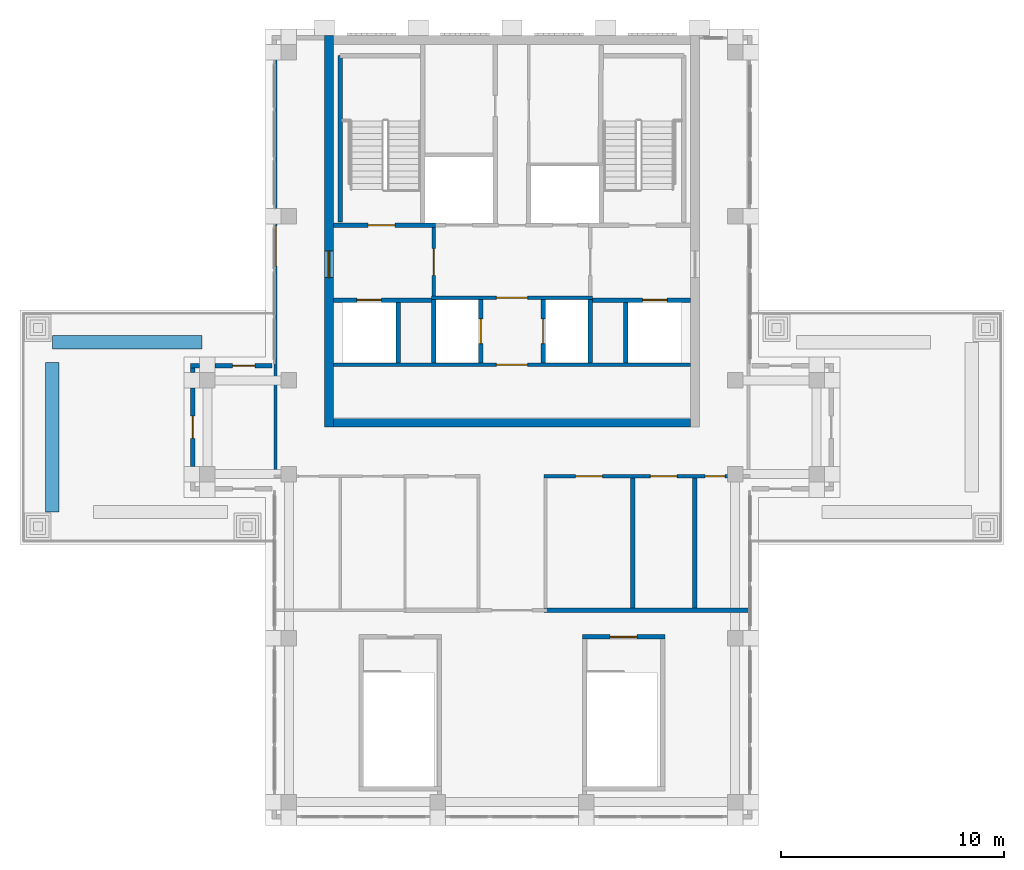
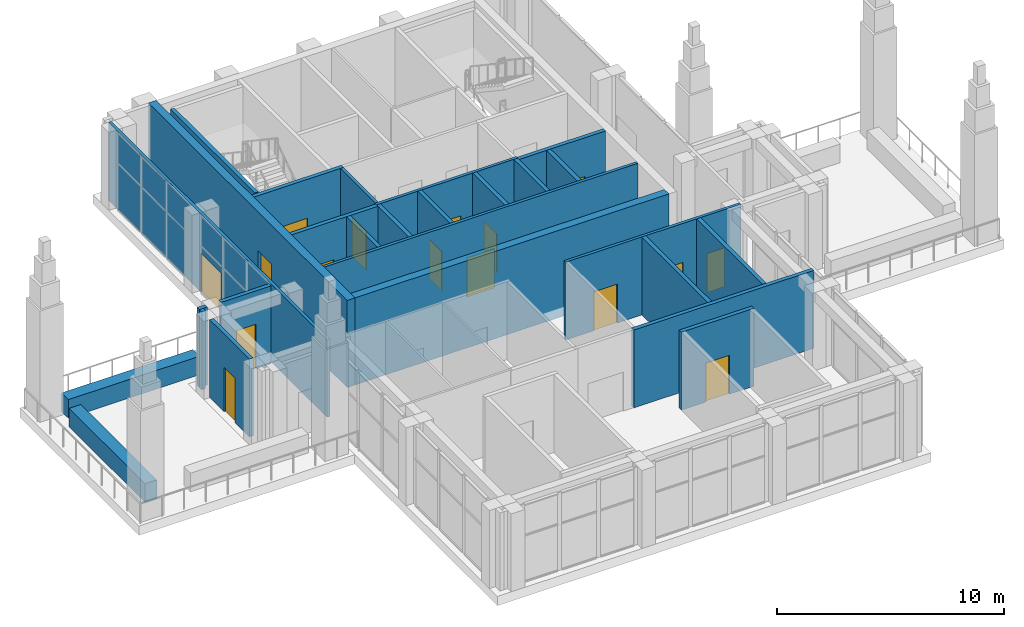
# One storey, part 7 of 12: 27 walls, 16 doors, 16 openings.
"""IFC4 building model written with IfcOpenShell, lengths in metres."""

from ifc_helpers import new_model, si_unit, direction, frame, frame_2d, origin, place, context, subcontext, project, spatial, rectangle, extrude, material, layer, layer_set, type_object, element, fill, save


model = new_model("IFC4")

# Units and contexts
model_context = context("Model", 3, precision=1e-05, world=origin(), true_north=direction((0.0, 1.0)))
body_context = subcontext(model_context, "Body", "Model", "MODEL_VIEW")
ifc_project = project(units=[si_unit("LENGTHUNIT", "METRE"), si_unit("AREAUNIT", "SQUARE_METRE"), si_unit("VOLUMEUNIT", "CUBIC_METRE"), si_unit("PLANEANGLEUNIT", "RADIAN"), si_unit("MASSUNIT", "GRAM", prefix="KILO")], contexts=[model_context])

# Site, building, storey
site_placement = place(None, origin())
site = spatial("IfcSite", under=ifc_project, at=site_placement, CompositionType="ELEMENT")
building_placement = place(site_placement, origin())
building = spatial("IfcBuilding", under=site, at=building_placement, Name="Vermilion Ogive Tower", CompositionType="ELEMENT")
storey_placement = place(building_placement, frame((0.0, 0.0, 298.35009765625)))
storey = spatial("IfcBuildingStorey", under=building, at=storey_placement, Name="L77", CompositionType="ELEMENT", Elevation=298.35009765625)

# Wall, opening, door
ifc_material_1 = material(Name="Concrete B60", Category="concrete")
ifc_layer_1 = layer(ifc_material_1, 0.39990234375)
ifc_layer_set_1 = layer_set([ifc_layer_1], Name="Core wall 400 B60")
wall_type_1 = type_object("IfcWallType", Name="Core wall 400 B60", PredefinedType="SHEAR", material=ifc_layer_set_1)
wall_1_placement = place(storey_placement, frame((-8.199951171875, 4.199951171875, -0.5), z_axis=(0.0, 0.0, 1.0), x_axis=(0.0, 1.0, 0.0)))
wall_1 = element("IfcWall", 1, at=wall_1_placement, inside=storey, type_object=wall_type_1, Name="L77-CORE-W", PredefinedType="SHEAR", context=body_context, shape_type="SweptSolid", body=[
    extrude(rectangle(XDim=17.550048828125, YDim=0.39990234375, at=frame_2d((8.77490234375, 0.0))), origin(), (0.0, 0.0, 1.0), 4.699951171875),
])
opening_1_placement = place(wall_1_placement, frame((6.699951171875, 0.0, 0.5)))
opening_1 = element("IfcOpeningElement", 2, at=opening_1_placement, cuts=wall_1, Name="Opening DAZ007", PredefinedType="OPENING", context=body_context, shape_type="SweptSolid", body=[
    extrude(rectangle(XDim=1.199951171875, YDim=2.10009765625, at=frame_2d((0.60009765625, 1.050048828125))), frame((0.0, 0.2099609375, 0.0), z_axis=(0.0, -1.0, 0.0), x_axis=(1.0, 0.0, 0.0)), (0.0, 0.0, 1.0), 0.419921875),
])
ifc_material_2 = material(Name="Timber door leaf", Category="wood")
door_type_1 = type_object("IfcDoorType", Name="Link door 1200 x 2100 FD60S", OperationType="SINGLE_SWING_LEFT", PredefinedType="DOOR", material=ifc_material_2)
door_1_placement = place(opening_1_placement, origin())
door_1 = element("IfcDoor", 3, at=door_1_placement, inside=storey, type_object=door_type_1, Name="L77-CK-XD1", OperationType="SINGLE_SWING_LEFT", OverallHeight=2.10009765625, OverallWidth=1.199951171875, PredefinedType="DOOR", context=body_context, shape_type="SweptSolid", body=[
    extrude(rectangle(XDim=1.199951171875, YDim=2.10009765625, at=frame_2d((0.60009765625, 1.050048828125))), frame((0.0, 0.02490234375, 0.0), z_axis=(0.0, -1.0, 0.0), x_axis=(1.0, 0.0, 0.0)), (0.0, 0.0, 1.0), 0.050048828125),
])
fill(opening_1, door_1)

# Wall
wall_2_placement = place(storey_placement, frame((-8.0, 4.39990234375, -0.5), z_axis=(0.0, 0.0, 1.0), x_axis=(1.0, 0.0, 0.0)))
element("IfcWall", 4, at=wall_2_placement, inside=storey, type_object=wall_type_1, Name="L77-CORE-S", PredefinedType="SHEAR", context=body_context, shape_type="SweptSolid", body=[
    extrude(rectangle(XDim=16.0, YDim=0.39990234375, at=frame_2d((8.0, 0.0))), origin(), (0.0, 0.0, 1.0), 4.699951171875),
])

# Wall, openings, doors
ifc_material_3 = material(Name="Gypsum board partition on steel studs", Category="steel")
ifc_layer_2 = layer(ifc_material_3, 0.14990234375)
ifc_layer_set_2 = layer_set([ifc_layer_2], Name="Partition 150 corridor")
wall_type_2 = type_object("IfcWallType", Name="Partition 150 corridor", PredefinedType="PARTITIONING", material=ifc_layer_set_2)
wall_3_placement = place(storey_placement, frame((1.425048828125, 2.0, 0.0), z_axis=(0.0, 0.0, 1.0), x_axis=(1.0, 0.0, 0.0)))
wall_3 = element("IfcWall", 5, at=wall_3_placement, inside=storey, type_object=wall_type_2, Name="L77-FS-W-W007", PredefinedType="PARTITIONING", context=body_context, shape_type="SweptSolid", body=[
    extrude(rectangle(XDim=8.925048828125, YDim=0.14990234375, at=frame_2d((4.46240234375, 0.0))), origin(), (0.0, 0.0, 1.0), 4.199951171875),
])
opening_2_placement = place(wall_3_placement, frame((1.428955078125, 0.0, 0.0)))
opening_2 = element("IfcOpeningElement", 6, at=opening_2_placement, cuts=wall_3, Name="Opening L77S005", PredefinedType="OPENING", context=body_context, shape_type="SweptSolid", body=[
    extrude(rectangle(XDim=1.199951171875, YDim=2.10009765625, at=frame_2d((0.60009765625, 1.050048828125))), frame((0.0, 0.0849609375, 0.0), z_axis=(0.0, -1.0, 0.0), x_axis=(1.0, 0.0, 0.0)), (0.0, 0.0, 1.0), 0.169921875),
])
opening_3_placement = place(wall_3_placement, frame((4.779052734375, 0.0, 0.0)))
opening_3 = element("IfcOpeningElement", 7, at=opening_3_placement, cuts=wall_3, Name="Opening L77S006", PredefinedType="OPENING", context=body_context, shape_type="SweptSolid", body=[
    extrude(rectangle(XDim=1.199951171875, YDim=2.10009765625, at=frame_2d((0.60009765625, 1.050048828125))), frame((0.0, 0.0849609375, 0.0), z_axis=(0.0, -1.0, 0.0), x_axis=(1.0, 0.0, 0.0)), (0.0, 0.0, 1.0), 0.169921875),
])
opening_4_placement = place(wall_3_placement, frame((7.224853515625, 0.0, 0.0)))
opening_4 = element("IfcOpeningElement", 8, at=opening_4_placement, cuts=wall_3, Name="Opening L77S007", PredefinedType="OPENING", context=body_context, shape_type="SweptSolid", body=[
    extrude(rectangle(XDim=0.89990234375, YDim=2.10009765625, at=frame_2d((0.449951171875, 1.050048828125))), frame((0.0, 0.0849609375, 0.0), z_axis=(0.0, -1.0, 0.0), x_axis=(1.0, 0.0, 0.0)), (0.0, 0.0, 1.0), 0.169921875),
])
ifc_material_4 = material(Name="Timber door leaf", Category="wood")
door_type_2 = type_object("IfcDoorType", Name="Room door 1200 x 2100 FD30", OperationType="SINGLE_SWING_LEFT", PredefinedType="DOOR", material=ifc_material_4)
door_2_placement = place(opening_2_placement, origin())
door_2 = element("IfcDoor", 9, at=door_2_placement, inside=storey, type_object=door_type_2, Name="L77-FS-D-D005", OperationType="SINGLE_SWING_LEFT", OverallHeight=2.10009765625, OverallWidth=1.199951171875, PredefinedType="DOOR", context=body_context, shape_type="SweptSolid", body=[
    extrude(rectangle(XDim=1.199951171875, YDim=2.10009765625, at=frame_2d((0.60009765625, 1.050048828125))), frame((0.0, 0.02490234375, 0.0), z_axis=(0.0, -1.0, 0.0), x_axis=(1.0, 0.0, 0.0)), (0.0, 0.0, 1.0), 0.050048828125),
])
fill(opening_2, door_2)
door_3_placement = place(opening_3_placement, origin())
door_3 = element("IfcDoor", 10, at=door_3_placement, inside=storey, type_object=door_type_2, Name="L77-FS-D-D006", OperationType="SINGLE_SWING_LEFT", OverallHeight=2.10009765625, OverallWidth=1.199951171875, PredefinedType="DOOR", context=body_context, shape_type="SweptSolid", body=[
    extrude(rectangle(XDim=1.199951171875, YDim=2.10009765625, at=frame_2d((0.60009765625, 1.050048828125))), frame((0.0, 0.02490234375, 0.0), z_axis=(0.0, -1.0, 0.0), x_axis=(1.0, 0.0, 0.0)), (0.0, 0.0, 1.0), 0.050048828125),
])
fill(opening_3, door_3)
ifc_material_5 = material(Name="Timber door leaf", Category="wood")
door_type_3 = type_object("IfcDoorType", Name="Room door 900 x 2100 FD30", OperationType="SINGLE_SWING_LEFT", PredefinedType="DOOR", material=ifc_material_5)
door_4_placement = place(opening_4_placement, origin())
door_4 = element("IfcDoor", 11, at=door_4_placement, inside=storey, type_object=door_type_3, Name="L77-FS-D-D007", OperationType="SINGLE_SWING_RIGHT", OverallHeight=2.10009765625, OverallWidth=0.89990234375, PredefinedType="DOOR", context=body_context, shape_type="SweptSolid", body=[
    extrude(rectangle(XDim=0.89990234375, YDim=2.10009765625, at=frame_2d((0.449951171875, 1.050048828125))), frame((0.0, 0.02490234375, 0.0), z_axis=(0.0, -1.0, 0.0), x_axis=(1.0, 0.0, 0.0)), (0.0, 0.0, 1.0), 0.050048828125),
])
fill(opening_4, door_4)

# Wall, opening, door
wall_4_placement = place(storey_placement, frame((-10.60009765625, 2.050048828125, 0.0), z_axis=(0.0, 0.0, 1.0), x_axis=(0.0, 1.0, 0.0)))
wall_4 = element("IfcWall", 12, at=wall_4_placement, inside=storey, type_object=wall_type_2, Name="L77-FS-W-W008", PredefinedType="PARTITIONING", context=body_context, shape_type="SweptSolid", body=[
    extrude(rectangle(XDim=19.300048828125, YDim=0.14990234375, at=frame_2d((9.64990234375, 0.0))), origin(), (0.0, 0.0, 1.0), 4.199951171875),
])
opening_5_placement = place(wall_4_placement, frame((9.375, 0.0, 0.0)))
opening_5 = element("IfcOpeningElement", 13, at=opening_5_placement, cuts=wall_4, Name="Opening L77S008", PredefinedType="OPENING", context=body_context, shape_type="SweptSolid", body=[
    extrude(rectangle(XDim=1.800048828125, YDim=2.10009765625, at=frame_2d((0.89990234375, 1.050048828125))), frame((0.0, 0.0849609375, 0.0), z_axis=(0.0, -1.0, 0.0), x_axis=(1.0, 0.0, 0.0)), (0.0, 0.0, 1.0), 0.169921875),
])
ifc_material_6 = material(Name="Timber door leaf", Category="wood")
door_type_4 = type_object("IfcDoorType", Name="External door 1800 x 2100 FD30", OperationType="DOUBLE_DOOR_SINGLE_SWING", PredefinedType="DOOR", material=ifc_material_6)
door_5_placement = place(opening_5_placement, origin())
door_5 = element("IfcDoor", 14, at=door_5_placement, inside=storey, type_object=door_type_4, Name="L77-FS-D-D008", OperationType="DOUBLE_DOOR_SINGLE_SWING", OverallHeight=2.10009765625, OverallWidth=1.800048828125, PredefinedType="DOOR", context=body_context, shape_type="SweptSolid", body=[
    extrude(rectangle(XDim=1.800048828125, YDim=2.10009765625, at=frame_2d((0.89990234375, 1.050048828125))), frame((0.0, 0.02490234375, 0.0), z_axis=(0.0, -1.0, 0.0), x_axis=(1.0, 0.0, 0.0)), (0.0, 0.0, 1.0), 0.050048828125),
])
fill(opening_5, door_5)

wall_5_placement = place(storey_placement, frame((-7.9990234375, 7.0, 0.0), z_axis=(0.0, 0.0, 1.0), x_axis=(1.0, 0.0, 0.0)))
wall_5 = element("IfcWall", 15, at=wall_5_placement, inside=storey, type_object=wall_type_2, Name="L77-CK-W-W001", PredefinedType="PARTITIONING", context=body_context, shape_type="SweptSolid", body=[
    extrude(rectangle(XDim=15.998046875, YDim=0.14990234375, at=frame_2d((7.9990234375, 0.0))), origin(), (0.0, 0.0, 1.0), 4.199951171875),
])
opening_6_placement = place(wall_5_placement, frame((7.299072265625, 0.0, 0.0)))
opening_6 = element("IfcOpeningElement", 16, at=opening_6_placement, cuts=wall_5, Name="Opening DAE085", PredefinedType="OPENING", context=body_context, shape_type="SweptSolid", body=[
    extrude(rectangle(XDim=1.39990234375, YDim=2.10009765625, at=frame_2d((0.699951171875, 1.050048828125))), frame((0.0, 0.0849609375, 0.0), z_axis=(0.0, -1.0, 0.0), x_axis=(1.0, 0.0, 0.0)), (0.0, 0.0, 1.0), 0.169921875),
])
ifc_material_7 = material(Name="Timber door leaf", Category="wood")
door_type_5 = type_object("IfcDoorType", Name="Lobby door 1400 x 2100 FD60S", OperationType="SINGLE_SWING_LEFT", PredefinedType="DOOR", material=ifc_material_7)
door_6_placement = place(opening_6_placement, origin())
door_6 = element("IfcDoor", 17, at=door_6_placement, inside=storey, type_object=door_type_5, Name="L77-CK-D-D005", OperationType="SINGLE_SWING_RIGHT", OverallHeight=2.10009765625, OverallWidth=1.39990234375, PredefinedType="DOOR", context=body_context, shape_type="SweptSolid", body=[
    extrude(rectangle(XDim=1.39990234375, YDim=2.10009765625, at=frame_2d((0.699951171875, 1.050048828125))), frame((0.0, 0.02490234375, 0.0), z_axis=(0.0, -1.0, 0.0), x_axis=(1.0, 0.0, 0.0)), (0.0, 0.0, 1.0), 0.050048828125),
])
fill(opening_6, door_6)

wall_6_placement = place(storey_placement, frame((-3.60009765625, 10.0, 0.0), z_axis=(0.0, 0.0, 1.0), x_axis=(1.0, 0.0, 0.0)))
wall_6 = element("IfcWall", 18, at=wall_6_placement, inside=storey, type_object=wall_type_2, Name="L77-CK-W-W004", PredefinedType="PARTITIONING", context=body_context, shape_type="SweptSolid", body=[
    extrude(rectangle(XDim=7.2001953125, YDim=0.14990234375, at=frame_2d((3.60009765625, 0.0))), origin(), (0.0, 0.0, 1.0), 4.199951171875),
])
opening_7_placement = place(wall_6_placement, frame((2.900146484375, 0.0, 0.0)))
opening_7 = element("IfcOpeningElement", 19, at=opening_7_placement, cuts=wall_6, Name="Opening DAE086", PredefinedType="OPENING", context=body_context, shape_type="SweptSolid", body=[
    extrude(rectangle(XDim=1.39990234375, YDim=2.10009765625, at=frame_2d((0.699951171875, 1.050048828125))), frame((0.0, 0.0849609375, 0.0), z_axis=(0.0, -1.0, 0.0), x_axis=(1.0, 0.0, 0.0)), (0.0, 0.0, 1.0), 0.169921875),
])
door_7_placement = place(opening_7_placement, origin())
door_7 = element("IfcDoor", 20, at=door_7_placement, inside=storey, type_object=door_type_5, Name="L77-CK-D-D006", OperationType="SINGLE_SWING_RIGHT", OverallHeight=2.10009765625, OverallWidth=1.39990234375, PredefinedType="DOOR", context=body_context, shape_type="SweptSolid", body=[
    extrude(rectangle(XDim=1.39990234375, YDim=2.10009765625, at=frame_2d((0.699951171875, 1.050048828125))), frame((0.0, 0.02490234375, 0.0), z_axis=(0.0, -1.0, 0.0), x_axis=(1.0, 0.0, 0.0)), (0.0, 0.0, 1.0), 0.050048828125),
])
fill(opening_7, door_7)

wall_7_placement = place(storey_placement, frame((-3.5, 10.074951171875, 0.0), z_axis=(0.0, 0.0, 1.0), x_axis=(0.0, 1.0, 0.0)))
wall_7 = element("IfcWall", 21, at=wall_7_placement, inside=storey, type_object=wall_type_2, Name="L77-CK-W-W013", PredefinedType="PARTITIONING", context=body_context, shape_type="SweptSolid", body=[
    extrude(rectangle(XDim=3.074951171875, YDim=0.14990234375, at=frame_2d((1.53759765625, 0.0))), origin(), (0.0, 0.0, 1.0), 4.199951171875),
])
opening_8_placement = place(wall_7_placement, frame((0.925048828125, 0.0, 0.0)))
opening_8 = element("IfcOpeningElement", 22, at=opening_8_placement, cuts=wall_7, Name="Opening DAE083", PredefinedType="OPENING", context=body_context, shape_type="SweptSolid", body=[
    extrude(rectangle(XDim=1.199951171875, YDim=2.10009765625, at=frame_2d((0.60009765625, 1.050048828125))), frame((0.0, 0.0849609375, 0.0), z_axis=(0.0, -1.0, 0.0), x_axis=(1.0, 0.0, 0.0)), (0.0, 0.0, 1.0), 0.169921875),
])
ifc_material_8 = material(Name="Timber door leaf", Category="wood")
door_type_6 = type_object("IfcDoorType", Name="Lobby door 1200 x 2100 FD60S", OperationType="SINGLE_SWING_LEFT", PredefinedType="DOOR", material=ifc_material_8)
door_8_placement = place(opening_8_placement, origin())
door_8 = element("IfcDoor", 23, at=door_8_placement, inside=storey, type_object=door_type_6, Name="L77-CK-D-D014", OperationType="SINGLE_SWING_RIGHT", OverallHeight=2.10009765625, OverallWidth=1.199951171875, PredefinedType="DOOR", context=body_context, shape_type="SweptSolid", body=[
    extrude(rectangle(XDim=1.199951171875, YDim=2.10009765625, at=frame_2d((0.60009765625, 1.050048828125))), frame((0.0, 0.02490234375, 0.0), z_axis=(0.0, -1.0, 0.0), x_axis=(1.0, 0.0, 0.0)), (0.0, 0.0, 1.0), 0.050048828125),
])
fill(opening_8, door_8)

# Walls
ifc_material_9 = material(Name="Gypsum board partition on steel studs", Category="steel")
ifc_layer_3 = layer(ifc_material_9, 0.199951171875)
ifc_layer_set_3 = layer_set([ifc_layer_3], Name="Partition 200 party")
wall_type_3 = type_object("IfcWallType", Name="Partition 200 party", PredefinedType="PARTITIONING", material=ifc_layer_set_3)
wall_8_placement = place(storey_placement, frame((1.425048828125, -4.0, 0.0), z_axis=(0.0, 0.0, 1.0), x_axis=(1.0, 0.0, 0.0)))
element("IfcWall", 24, at=wall_8_placement, inside=storey, type_object=wall_type_3, Name="L77-FS-W-W004", PredefinedType="PARTITIONING", context=body_context, shape_type="SweptSolid", body=[
    extrude(rectangle(XDim=9.175048828125, YDim=0.199951171875, at=frame_2d((4.58740234375, 0.0))), origin(), (0.0, 0.0, 1.0), 4.199951171875),
])
for number, where, z_axis, x_axis, name in (
    (25, (5.407958984375, -3.89990234375, 0.0), (0.0, 0.0, 1.0), (0.0, 1.0, 0.0), "L77-FS-W-W013"),
    (26, (8.199951171875, -3.89990234375, 0.0), (0.0, 0.0, 1.0), (0.0, 1.0, 0.0), "L77-FS-W-W014"),
):
    element("IfcWall", number, at=place(storey_placement, frame(where, z_axis=z_axis, x_axis=x_axis)), inside=storey, type_object=wall_type_3, Name=name, PredefinedType="PARTITIONING", context=body_context, shape_type="SweptSolid", body=[
        extrude(rectangle(XDim=5.824951171875, YDim=0.199951171875, at=frame_2d((2.91259765625, 0.0))), origin(), (0.0, 0.0, 1.0), 4.199951171875),
    ])

# Wall, opening, door
wall_9_placement = place(storey_placement, frame((-7.9990234375, 9.89990234375, 0.0), z_axis=(0.0, 0.0, 1.0), x_axis=(1.0, 0.0, 0.0)))
wall_9 = element("IfcWall", 27, at=wall_9_placement, inside=storey, type_object=wall_type_3, Name="L77-CK-W-W002", PredefinedType="PARTITIONING", context=body_context, shape_type="SweptSolid", body=[
    extrude(rectangle(XDim=4.39892578125, YDim=0.199951171875, at=frame_2d((2.199462890625, 0.0))), origin(), (0.0, 0.0, 1.0), 4.199951171875),
])
opening_9_placement = place(wall_9_placement, frame((1.049072265625, 0.0, 0.0)))
opening_9 = element("IfcOpeningElement", 28, at=opening_9_placement, cuts=wall_9, Name="Opening DAE092", PredefinedType="OPENING", context=body_context, shape_type="SweptSolid", body=[
    extrude(rectangle(XDim=1.10009765625, YDim=2.10009765625, at=frame_2d((0.550048828125, 1.050048828125))), frame((0.0, 0.10986328125, 0.0), z_axis=(0.0, -1.0, 0.0), x_axis=(1.0, 0.0, 0.0)), (0.0, 0.0, 1.0), 0.219970703125),
])
ifc_material_10 = material(Name="Stainless steel", Category="steel")
door_type_7 = type_object("IfcDoorType", Name="Lift landing door 1100 x 2100", OperationType="SLIDING_TO_LEFT", PredefinedType="DOOR", material=ifc_material_10)
door_9_placement = place(opening_9_placement, origin())
door_9 = element("IfcDoor", 29, at=door_9_placement, inside=storey, type_object=door_type_7, Name="L77-CK-D-D002", OperationType="SLIDING_TO_LEFT", OverallHeight=2.10009765625, OverallWidth=1.10009765625, PredefinedType="DOOR", context=body_context, shape_type="SweptSolid", body=[
    extrude(rectangle(XDim=1.10009765625, YDim=2.10009765625, at=frame_2d((0.550048828125, 1.050048828125))), frame((0.0, 0.02490234375, 0.0), z_axis=(0.0, -1.0, 0.0), x_axis=(1.0, 0.0, 0.0)), (0.0, 0.0, 1.0), 0.050048828125),
])
fill(opening_9, door_9)

wall_10_placement = place(storey_placement, frame((3.60009765625, 9.89990234375, 0.0), z_axis=(0.0, 0.0, 1.0), x_axis=(1.0, 0.0, 0.0)))
wall_10 = element("IfcWall", 30, at=wall_10_placement, inside=storey, type_object=wall_type_3, Name="L77-CK-W-W003", PredefinedType="PARTITIONING", context=body_context, shape_type="SweptSolid", body=[
    extrude(rectangle(XDim=4.39892578125, YDim=0.199951171875, at=frame_2d((2.199462890625, 0.0))), origin(), (0.0, 0.0, 1.0), 4.199951171875),
])
opening_10_placement = place(wall_10_placement, frame((2.25, 0.0, 0.0)))
opening_10 = element("IfcOpeningElement", 31, at=opening_10_placement, cuts=wall_10, Name="Opening DAE093", PredefinedType="OPENING", context=body_context, shape_type="SweptSolid", body=[
    extrude(rectangle(XDim=1.10009765625, YDim=2.10009765625, at=frame_2d((0.550048828125, 1.050048828125))), frame((0.0, 0.10986328125, 0.0), z_axis=(0.0, -1.0, 0.0), x_axis=(1.0, 0.0, 0.0)), (0.0, 0.0, 1.0), 0.219970703125),
])
door_10_placement = place(opening_10_placement, origin())
door_10 = element("IfcDoor", 32, at=door_10_placement, inside=storey, type_object=door_type_7, Name="L77-CK-D-D004", OperationType="SLIDING_TO_LEFT", OverallHeight=2.10009765625, OverallWidth=1.10009765625, PredefinedType="DOOR", context=body_context, shape_type="SweptSolid", body=[
    extrude(rectangle(XDim=1.10009765625, YDim=2.10009765625, at=frame_2d((0.550048828125, 1.050048828125))), frame((0.0, 0.02490234375, 0.0), z_axis=(0.0, -1.0, 0.0), x_axis=(1.0, 0.0, 0.0)), (0.0, 0.0, 1.0), 0.050048828125),
])
fill(opening_10, door_10)

# Walls
wall_11_placement = place(storey_placement, frame((-5.10009765625, 7.074951171875, 0.0), z_axis=(0.0, 0.0, 1.0), x_axis=(0.0, 1.0, 0.0)))
element("IfcWall", 33, at=wall_11_placement, inside=storey, type_object=wall_type_3, Name="L77-CK-W-W010", PredefinedType="PARTITIONING", context=body_context, shape_type="SweptSolid", body=[
    extrude(rectangle(XDim=2.72509765625, YDim=0.199951171875, at=frame_2d((1.362548828125, 0.0))), origin(), (0.0, 0.0, 1.0), 4.199951171875),
])
wall_12_placement = place(storey_placement, frame((-3.5, 7.074951171875, 0.0), z_axis=(0.0, 0.0, 1.0), x_axis=(0.0, 1.0, 0.0)))
element("IfcWall", 34, at=wall_12_placement, inside=storey, type_object=wall_type_3, Name="L77-CK-W-W012", PredefinedType="PARTITIONING", context=body_context, shape_type="SweptSolid", body=[
    extrude(rectangle(XDim=2.85009765625, YDim=0.199951171875, at=frame_2d((1.425048828125, 0.0))), origin(), (0.0, 0.0, 1.0), 4.199951171875),
])

# Wall, opening, door
wall_13_placement = place(storey_placement, frame((-1.39990234375, 7.074951171875, 0.0), z_axis=(0.0, 0.0, 1.0), x_axis=(0.0, 1.0, 0.0)))
wall_13 = element("IfcWall", 35, at=wall_13_placement, inside=storey, type_object=wall_type_3, Name="L77-CK-W-W014", PredefinedType="PARTITIONING", context=body_context, shape_type="SweptSolid", body=[
    extrude(rectangle(XDim=2.85009765625, YDim=0.199951171875, at=frame_2d((1.425048828125, 0.0))), origin(), (0.0, 0.0, 1.0), 4.199951171875),
])
opening_11_placement = place(wall_13_placement, frame((0.875, 0.0, 0.0)))
opening_11 = element("IfcOpeningElement", 36, at=opening_11_placement, cuts=wall_13, Name="Opening DAE094", PredefinedType="OPENING", context=body_context, shape_type="SweptSolid", body=[
    extrude(rectangle(XDim=1.10009765625, YDim=2.10009765625, at=frame_2d((0.550048828125, 1.050048828125))), frame((0.0, 0.10986328125, 0.0), z_axis=(0.0, -1.0, 0.0), x_axis=(1.0, 0.0, 0.0)), (0.0, 0.0, 1.0), 0.219970703125),
])
door_11_placement = place(opening_11_placement, origin())
door_11 = element("IfcDoor", 37, at=door_11_placement, inside=storey, type_object=door_type_7, Name="L77-CK-D-D007", OperationType="SLIDING_TO_RIGHT", OverallHeight=2.10009765625, OverallWidth=1.10009765625, PredefinedType="DOOR", context=body_context, shape_type="SweptSolid", body=[
    extrude(rectangle(XDim=1.10009765625, YDim=2.10009765625, at=frame_2d((0.550048828125, 1.050048828125))), frame((0.0, 0.02490234375, 0.0), z_axis=(0.0, -1.0, 0.0), x_axis=(1.0, 0.0, 0.0)), (0.0, 0.0, 1.0), 0.050048828125),
])
fill(opening_11, door_11)

wall_14_placement = place(storey_placement, frame((1.39990234375, 7.074951171875, 0.0), z_axis=(0.0, 0.0, 1.0), x_axis=(0.0, 1.0, 0.0)))
wall_14 = element("IfcWall", 38, at=wall_14_placement, inside=storey, type_object=wall_type_3, Name="L77-CK-W-W018", PredefinedType="PARTITIONING", context=body_context, shape_type="SweptSolid", body=[
    extrude(rectangle(XDim=2.85009765625, YDim=0.199951171875, at=frame_2d((1.425048828125, 0.0))), origin(), (0.0, 0.0, 1.0), 4.199951171875),
])
opening_12_placement = place(wall_14_placement, frame((0.875, 0.0, 0.0)))
opening_12 = element("IfcOpeningElement", 39, at=opening_12_placement, cuts=wall_14, Name="Opening DAE095", PredefinedType="OPENING", context=body_context, shape_type="SweptSolid", body=[
    extrude(rectangle(XDim=1.10009765625, YDim=2.10009765625, at=frame_2d((0.550048828125, 1.050048828125))), frame((0.0, 0.10986328125, 0.0), z_axis=(0.0, -1.0, 0.0), x_axis=(1.0, 0.0, 0.0)), (0.0, 0.0, 1.0), 0.219970703125),
])
door_12_placement = place(opening_12_placement, origin())
door_12 = element("IfcDoor", 40, at=door_12_placement, inside=storey, type_object=door_type_7, Name="L77-CK-D-D008", OperationType="SLIDING_TO_RIGHT", OverallHeight=2.10009765625, OverallWidth=1.10009765625, PredefinedType="DOOR", context=body_context, shape_type="SweptSolid", body=[
    extrude(rectangle(XDim=1.10009765625, YDim=2.10009765625, at=frame_2d((0.550048828125, 1.050048828125))), frame((0.0, 0.02490234375, 0.0), z_axis=(0.0, -1.0, 0.0), x_axis=(1.0, 0.0, 0.0)), (0.0, 0.0, 1.0), 0.050048828125),
])
fill(opening_12, door_12)

# Walls
wall_15_placement = place(storey_placement, frame((3.5, 7.074951171875, 0.0), z_axis=(0.0, 0.0, 1.0), x_axis=(0.0, 1.0, 0.0)))
element("IfcWall", 41, at=wall_15_placement, inside=storey, type_object=wall_type_3, Name="L77-CK-W-W019", PredefinedType="PARTITIONING", context=body_context, shape_type="SweptSolid", body=[
    extrude(rectangle(XDim=2.85009765625, YDim=0.199951171875, at=frame_2d((1.425048828125, 0.0))), origin(), (0.0, 0.0, 1.0), 4.199951171875),
])
wall_16_placement = place(storey_placement, frame((5.10009765625, 7.074951171875, 0.0), z_axis=(0.0, 0.0, 1.0), x_axis=(0.0, 1.0, 0.0)))
element("IfcWall", 42, at=wall_16_placement, inside=storey, type_object=wall_type_3, Name="L77-CK-W-W023", PredefinedType="PARTITIONING", context=body_context, shape_type="SweptSolid", body=[
    extrude(rectangle(XDim=2.72509765625, YDim=0.199951171875, at=frame_2d((1.362548828125, 0.0))), origin(), (0.0, 0.0, 1.0), 4.199951171875),
])

# Wall, opening, door
ifc_material_11 = material(Name="Concrete B60", Category="concrete")
ifc_layer_4 = layer(ifc_material_11, 0.199951171875)
ifc_layer_set_4 = layer_set([ifc_layer_4], Name="Stair enclosure wall 200 Concrete B60")
wall_type_4 = type_object("IfcWallType", Name="Stair enclosure wall 200 Concrete B60", PredefinedType="PARTITIONING", material=ifc_layer_set_4)
wall_17_placement = place(storey_placement, frame((3.14990234375, -5.199951171875, 0.0), z_axis=(0.0, 0.0, 1.0), x_axis=(1.0, 0.0, 0.0)))
wall_17 = element("IfcWall", 43, at=wall_17_placement, inside=storey, type_object=wall_type_4, Name="L77-SW-ST6-N1", PredefinedType="PARTITIONING", context=body_context, shape_type="SweptSolid", body=[
    extrude(rectangle(XDim=3.7001953125, YDim=0.199951171875, at=frame_2d((1.85009765625, 0.0))), origin(), (0.0, 0.0, 1.0), 4.199951171875),
])
opening_13_placement = place(wall_17_placement, frame((1.25, 0.0, 0.0)))
opening_13 = element("IfcOpeningElement", 44, at=opening_13_placement, cuts=wall_17, Name="Opening L77-SD6", PredefinedType="OPENING", context=body_context, shape_type="SweptSolid", body=[
    extrude(rectangle(XDim=1.199951171875, YDim=2.10009765625, at=frame_2d((0.60009765625, 1.050048828125))), frame((0.0, 0.10986328125, 0.0), z_axis=(0.0, -1.0, 0.0), x_axis=(1.0, 0.0, 0.0)), (0.0, 0.0, 1.0), 0.219970703125),
])
ifc_material_12 = material(Name="Timber door leaf", Category="wood")
door_type_8 = type_object("IfcDoorType", Name="Stair door 1200 x 2100 FD60S", OperationType="SINGLE_SWING_LEFT", PredefinedType="DOOR", material=ifc_material_12)
door_13_placement = place(opening_13_placement, origin())
door_13 = element("IfcDoor", 45, at=door_13_placement, inside=storey, type_object=door_type_8, Name="Stair door ST6", OperationType="SINGLE_SWING_LEFT", OverallHeight=2.10009765625, OverallWidth=1.199951171875, PredefinedType="DOOR", context=body_context, shape_type="SweptSolid", body=[
    extrude(rectangle(XDim=1.199951171875, YDim=2.10009765625, at=frame_2d((0.60009765625, 1.050048828125))), frame((0.0, 0.02490234375, 0.0), z_axis=(0.0, -1.0, 0.0), x_axis=(1.0, 0.0, 0.0)), (0.0, 0.0, 1.0), 0.050048828125),
])
fill(opening_13, door_13)

ifc_material_13 = material(Name="Concrete B60", Category="concrete")
ifc_layer_5 = layer(ifc_material_13, 0.199951171875)
ifc_layer_set_5 = layer_set([ifc_layer_5], Name="Stair shaft wall 200 Concrete B60")
wall_type_5 = type_object("IfcWallType", Name="Stair shaft wall 200 Concrete B60", PredefinedType="SOLIDWALL", material=ifc_layer_set_5)
wall_18_placement = place(storey_placement, frame((-7.9990234375, 13.25, 0.0), z_axis=(0.0, 0.0, 1.0), x_axis=(1.0, 0.0, 0.0)))
wall_18 = element("IfcWall", 46, at=wall_18_placement, inside=storey, type_object=wall_type_5, Name="L77-CK-W-W005", PredefinedType="SOLIDWALL", context=body_context, shape_type="SweptSolid", body=[
    extrude(rectangle(XDim=4.573974609375, YDim=0.199951171875, at=frame_2d((2.287109375, 0.0))), origin(), (0.0, 0.0, 1.0), 4.199951171875),
])
opening_14_placement = place(wall_18_placement, frame((1.549072265625, 0.0, 0.0)))
opening_14 = element("IfcOpeningElement", 47, at=opening_14_placement, cuts=wall_18, Name="Opening DAE090", PredefinedType="OPENING", context=body_context, shape_type="SweptSolid", body=[
    extrude(rectangle(XDim=1.199951171875, YDim=2.10009765625, at=frame_2d((0.60009765625, 1.050048828125))), frame((0.0, 0.10986328125, 0.0), z_axis=(0.0, -1.0, 0.0), x_axis=(1.0, 0.0, 0.0)), (0.0, 0.0, 1.0), 0.219970703125),
])
door_14_placement = place(opening_14_placement, origin())
door_14 = element("IfcDoor", 48, at=door_14_placement, inside=storey, type_object=door_type_8, Name="L77-CK-D-D001", OperationType="SINGLE_SWING_LEFT", OverallHeight=2.10009765625, OverallWidth=1.199951171875, PredefinedType="DOOR", context=body_context, shape_type="SweptSolid", body=[
    extrude(rectangle(XDim=1.199951171875, YDim=2.10009765625, at=frame_2d((0.60009765625, 1.050048828125))), frame((0.0, 0.02490234375, 0.0), z_axis=(0.0, -1.0, 0.0), x_axis=(1.0, 0.0, 0.0)), (0.0, 0.0, 1.0), 0.050048828125),
])
fill(opening_14, door_14)

# Walls
wall_19_placement = place(storey_placement, frame((-7.699951171875, 13.39990234375, 0.0), z_axis=(0.0, 0.0, 1.0), x_axis=(0.0, 1.0, 0.0)))
element("IfcWall", 49, at=wall_19_placement, inside=storey, type_object=wall_type_5, Name="L77-SW-R003-W1", PredefinedType="SOLIDWALL", context=body_context, shape_type="SweptSolid", body=[
    extrude(rectangle(XDim=7.4501953125, YDim=0.199951171875, at=frame_2d((3.72509765625, 0.0))), origin(), (0.0, 0.0, 1.0), 4.199951171875),
])
ifc_material_14 = material(Name="Concrete B40", Category="concrete")
ifc_layer_6 = layer(ifc_material_14, 0.60009765625)
ifc_layer_set_6 = layer_set([ifc_layer_6], Name="Terrace planter")
wall_type_6 = type_object("IfcWallType", Name="Terrace planter", PredefinedType="USERDEFINED", material=ifc_layer_set_6)
for number, where, z_axis, x_axis, name in (
    (50, (-20.60009765625, 0.39990234375, 0.0), (0.0, 0.0, 1.0), (0.0, 1.0, 0.0), "Terrace planter 1.1.2"),
    (51, (-20.60009765625, 8.0, 0.0), (0.0, 0.0, 1.0), (1.0, 0.0, 0.0), "Terrace planter 1.1.3"),
):
    element("IfcWall", number, at=place(storey_placement, frame(where, z_axis=z_axis, x_axis=x_axis)), inside=storey, type_object=wall_type_6, Name=name, ObjectType="PLANTER", PredefinedType="USERDEFINED", context=body_context, shape_type="SweptSolid", body=[
        extrude(rectangle(XDim=6.7001953125, YDim=0.60009765625, at=frame_2d((3.35009765625, 0.0))), origin(), (0.0, 0.0, 1.0), 1.0),
    ])

# Wall, opening, door
ifc_material_15 = material(Name="Aluminium window wall framing", Category="aluminium")
ifc_layer_7 = layer(ifc_material_15, 0.199951171875)
ifc_layer_set_7 = layer_set([ifc_layer_7], Name="Window wall")
wall_type_7 = type_object("IfcWallType", Name="Window wall", PredefinedType="STANDARD", material=ifc_layer_set_7)
wall_20_placement = place(storey_placement, frame((-10.75, 6.949951171875, 0.0), z_axis=(0.0, 0.0, 1.0), x_axis=(-1.0, 0.0, 0.0)))
wall_20 = element("IfcWall", 52, at=wall_20_placement, inside=storey, type_object=wall_type_7, Name="Window wall X61", PredefinedType="STANDARD", context=body_context, shape_type="SweptSolid", body=[
    extrude(rectangle(XDim=2.550048828125, YDim=0.199951171875, at=frame_2d((1.27490234375, 0.0))), origin(), (0.0, 0.0, 1.0), 4.199951171875),
])
opening_15_placement = place(wall_20_placement, frame((0.77490234375, 0.0, 0.0)))
opening_15 = element("IfcOpeningElement", 53, at=opening_15_placement, cuts=wall_20, Name="Opening D1-X6X", PredefinedType="OPENING", context=body_context, shape_type="SweptSolid", body=[
    extrude(rectangle(XDim=1.0, YDim=2.39990234375, at=frame_2d((0.5, 1.199951171875))), frame((0.0, 0.10986328125, 0.0), z_axis=(0.0, -1.0, 0.0), x_axis=(1.0, 0.0, 0.0)), (0.0, 0.0, 1.0), 0.219970703125),
])
ifc_material_16 = material(Name="Aluminium framed glazed door", Category="aluminium")
door_type_9 = type_object("IfcDoorType", Name="Balcony door D1", OperationType="SINGLE_SWING_LEFT", PredefinedType="DOOR", material=ifc_material_16)
door_15_placement = place(opening_15_placement, origin())
door_15 = element("IfcDoor", 54, at=door_15_placement, inside=storey, type_object=door_type_9, Name="Balcony door X6X", OperationType="SINGLE_SWING_LEFT", OverallHeight=2.39990234375, OverallWidth=1.0, PredefinedType="DOOR", context=body_context, shape_type="SweptSolid", body=[
    extrude(rectangle(XDim=1.0, YDim=2.39990234375, at=frame_2d((0.5, 1.199951171875))), frame((0.0, 0.02490234375, 0.0), z_axis=(0.0, -1.0, 0.0), x_axis=(1.0, 0.0, 0.0)), (0.0, 0.0, 1.0), 0.050048828125),
])
fill(opening_15, door_15)

# Walls
wall_21_placement = place(storey_placement, frame((-14.0, 6.949951171875, 0.0), z_axis=(0.0, 0.0, 1.0), x_axis=(-1.0, 0.0, 0.0)))
element("IfcWall", 55, at=wall_21_placement, inside=storey, type_object=wall_type_7, Name="Window wall X62", PredefinedType="STANDARD", context=body_context, shape_type="SweptSolid", body=[
    extrude(rectangle(XDim=0.39990234375, YDim=0.199951171875, at=frame_2d((0.199951171875, 0.0))), origin(), (0.0, 0.0, 1.0), 4.199951171875),
])
wall_22_placement = place(storey_placement, frame((-14.300048828125, 6.85009765625, 0.0), z_axis=(0.0, 0.0, 1.0), x_axis=(0.0, -1.0, 0.0)))
element("IfcWall", 56, at=wall_22_placement, inside=storey, type_object=wall_type_7, Name="Window wall W1", PredefinedType="STANDARD", context=body_context, shape_type="SweptSolid", body=[
    extrude(rectangle(XDim=0.2001953125, YDim=0.199951171875, at=frame_2d((0.10009765625, 0.0))), origin(), (0.0, 0.0, 1.0), 4.199951171875),
])

# Wall, opening, door
wall_23_placement = place(storey_placement, frame((-14.300048828125, 5.949951171875, 0.0), z_axis=(0.0, 0.0, 1.0), x_axis=(0.0, -1.0, 0.0)))
wall_23 = element("IfcWall", 57, at=wall_23_placement, inside=storey, type_object=wall_type_7, Name="Window wall W2", PredefinedType="STANDARD", context=body_context, shape_type="SweptSolid", body=[
    extrude(rectangle(XDim=3.5, YDim=0.199951171875, at=frame_2d((1.75, 0.0))), origin(), (0.0, 0.0, 1.0), 4.199951171875),
])
opening_16_placement = place(wall_23_placement, frame((1.25, 0.0, 0.0)))
opening_16 = element("IfcOpeningElement", 58, at=opening_16_placement, cuts=wall_23, Name="Opening D1-WX", PredefinedType="OPENING", context=body_context, shape_type="SweptSolid", body=[
    extrude(rectangle(XDim=1.0, YDim=2.39990234375, at=frame_2d((0.5, 1.199951171875))), frame((0.0, 0.10986328125, 0.0), z_axis=(0.0, -1.0, 0.0), x_axis=(1.0, 0.0, 0.0)), (0.0, 0.0, 1.0), 0.219970703125),
])
door_16_placement = place(opening_16_placement, origin())
door_16 = element("IfcDoor", 59, at=door_16_placement, inside=storey, type_object=door_type_9, Name="Balcony door WX", OperationType="SINGLE_SWING_LEFT", OverallHeight=2.39990234375, OverallWidth=1.0, PredefinedType="DOOR", context=body_context, shape_type="SweptSolid", body=[
    extrude(rectangle(XDim=1.0, YDim=2.39990234375, at=frame_2d((0.5, 1.199951171875))), frame((0.0, 0.02490234375, 0.0), z_axis=(0.0, -1.0, 0.0), x_axis=(1.0, 0.0, 0.0)), (0.0, 0.0, 1.0), 0.050048828125),
])
fill(opening_16, door_16)

save(model, "model.ifc")
